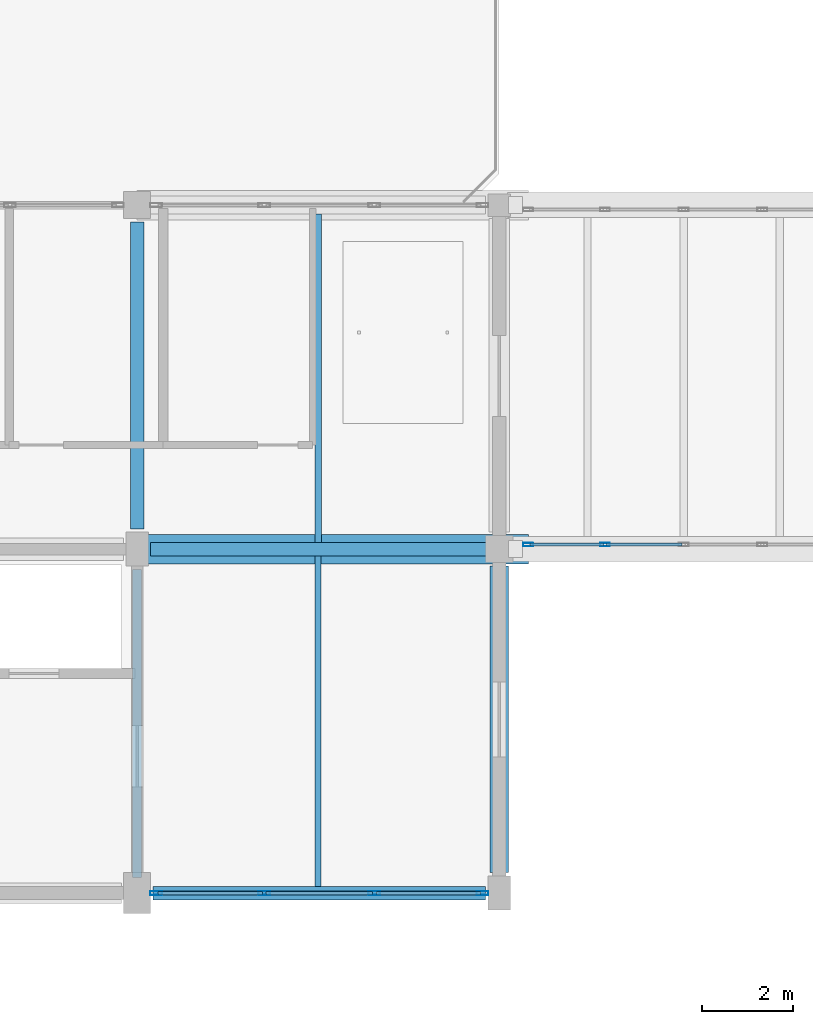
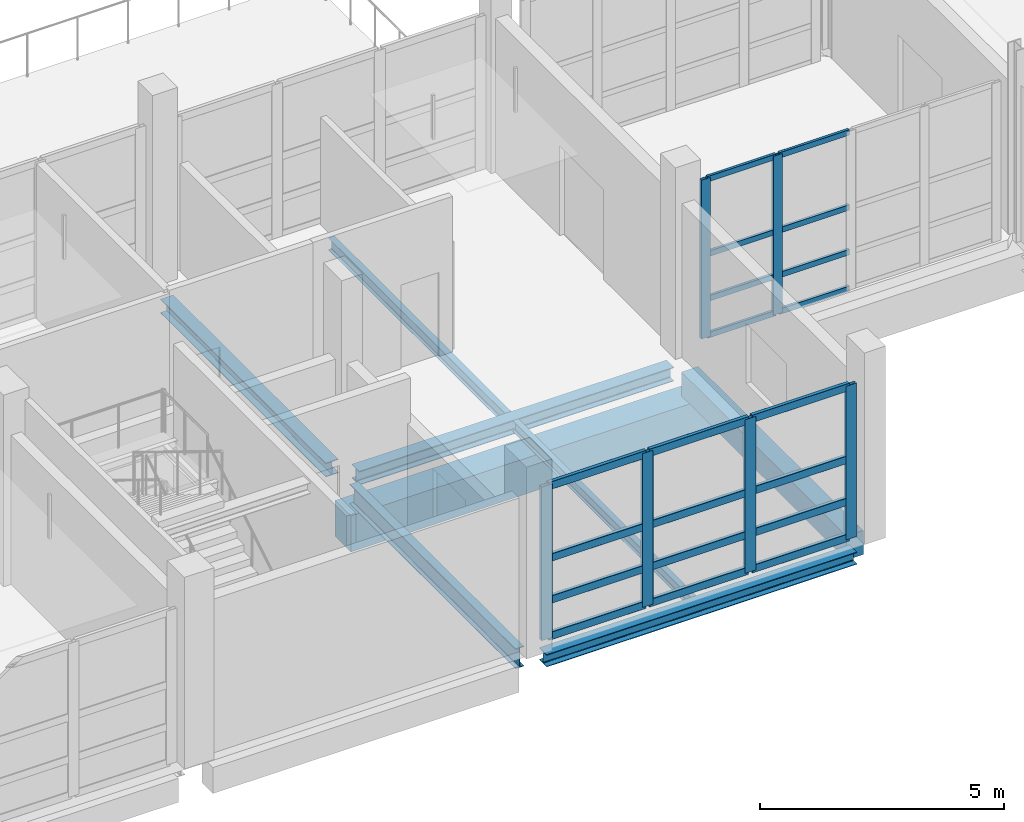
# One storey, part 38 of 147: 26 members, 8 beams, 2 elements without a shape of their own.
"""IFC4 building model written with IfcOpenShell, lengths in metres."""

from ifc_helpers import new_model, si_unit, direction, frame, origin, origin_2d, place, context, subcontext, project, spatial, rectangle, hollow_rectangle, i_section, extrude, material, material_profile, profile_set, type_object, element, aggregate, save


model = new_model("IFC4")

# Units and contexts
model_context = context("Model", 3, precision=1e-05, world=origin(), true_north=direction((0.0, 1.0)))
body_context = subcontext(model_context, "Body", "Model", "MODEL_VIEW")
ifc_project = project(units=[si_unit("LENGTHUNIT", "METRE"), si_unit("AREAUNIT", "SQUARE_METRE"), si_unit("VOLUMEUNIT", "CUBIC_METRE"), si_unit("PLANEANGLEUNIT", "RADIAN"), si_unit("MASSUNIT", "GRAM", prefix="KILO")], contexts=[model_context])

# Site, building, storey
site_placement = place(None, origin())
site = spatial("IfcSite", under=ifc_project, at=site_placement, CompositionType="ELEMENT")
building_placement = place(site_placement, origin())
building = spatial("IfcBuilding", under=site, at=building_placement, Name="Khelvaren Railside Concert Hall", CompositionType="ELEMENT")
storey_placement = place(building_placement, frame((0.0, 0.0, 5.39990234375)))
storey = spatial("IfcBuildingStorey", under=building, at=storey_placement, Name="L01", CompositionType="ELEMENT", Elevation=5.39990234375)

# Beams
ifc_material_1 = material(Name="Concrete C40/50", Category="concrete")
ifc_material_profile_1 = material_profile(ifc_material_1, rectangle(XDim=0.64990234375, YDim=0.89990234375, at=origin_2d()), Name="RCB 650x900")
ifc_profile_set_1 = profile_set([ifc_material_profile_1], Name="Concrete C40/50")
beam_type_1 = type_object("IfcBeamType", Name="BM18", PredefinedType="BEAM", material=ifc_profile_set_1)
beam_1_placement = place(storey_placement, frame((128.0, 7.60009765625, -1.659912109375), z_axis=(1.0, 0.0, 0.0), x_axis=(0.0, 1.0, 0.0)))
element("IfcBeam", 1, at=beam_1_placement, inside=storey, type_object=beam_type_1, Name="East Rehearsal Link Bridge L01 Seismic Corbel Seat 1", PredefinedType="BEAM", context=body_context, shape_type="SweptSolid", body=[
    extrude(rectangle(XDim=0.64990234375, YDim=0.89990234375, at=origin_2d()), origin(), (0.0, 0.0, 1.0), 8.64990234375),
])
ifc_material_2 = material(Name="Steel S355", Category="steel")
ifc_material_profile_2 = material_profile(ifc_material_2, i_section(OverallWidth=0.199951171875, OverallDepth=0.5, WebThickness=0.01025390625, FlangeThickness=0.01611328125, FilletRadius=0.02099609375, at=origin_2d()), Name="IPE 500")
ifc_profile_set_2 = profile_set([ifc_material_profile_2], Name="Steel S355")
beam_type_2 = type_object("IfcBeamType", Name="BM62", PredefinedType="BEAM", material=ifc_profile_set_2)
beam_2_placement = place(storey_placement, frame((128.0, 0.35009765625, -0.5498046875), z_axis=(0.0, 1.0, 0.0), x_axis=(-1.0, 0.0, 0.0)))
element("IfcBeam", 2, at=beam_2_placement, inside=storey, type_object=beam_type_2, Name="V3 L01 Beam Y9.1", PredefinedType="BEAM", context=body_context, shape_type="SweptSolid", body=[
    extrude(i_section(OverallWidth=0.199951171875, OverallDepth=0.5, WebThickness=0.01025390625, FlangeThickness=0.01611328125, FilletRadius=0.02099609375, at=origin_2d()), origin(), (0.0, 0.0, 1.0), 6.7998046875),
])
ifc_material_profile_3 = material_profile(ifc_material_2, i_section(OverallWidth=0.300048828125, OverallDepth=0.35009765625, WebThickness=0.010009765625, FlangeThickness=0.017578125, FilletRadius=0.027099609375, at=origin_2d()), Name="HEA 360")
ifc_profile_set_3 = profile_set([ifc_material_profile_3], Name="Steel S355")
beam_type_3 = type_object("IfcBeamType", Name="BM73", PredefinedType="BEAM", material=ifc_profile_set_3)
beam_3_placement = place(storey_placement, frame((128.300048828125, 7.60009765625, -0.474853515625), z_axis=(1.0, 0.0, 0.0), x_axis=(0.0, 1.0, 0.0)))
element("IfcBeam", 3, at=beam_3_placement, inside=storey, type_object=beam_type_3, Name="V3 L01 Beam X2.9", PredefinedType="BEAM", context=body_context, shape_type="SweptSolid", body=[
    extrude(i_section(OverallWidth=0.300048828125, OverallDepth=0.35009765625, WebThickness=0.010009765625, FlangeThickness=0.017578125, FilletRadius=0.027099609375, at=origin_2d()), origin(), (0.0, 0.0, 1.0), 7.449951171875),
])
beam_4_placement = place(storey_placement, frame((128.0, 8.050048828125, -0.474853515625), z_axis=(0.0, 1.0, 0.0), x_axis=(-1.0, 0.0, 0.0)))
element("IfcBeam", 4, at=beam_4_placement, inside=storey, type_object=beam_type_3, Name="V3 L01 Beam Y9.2", PredefinedType="BEAM", context=body_context, shape_type="SweptSolid", body=[
    extrude(i_section(OverallWidth=0.300048828125, OverallDepth=0.35009765625, WebThickness=0.010009765625, FlangeThickness=0.017578125, FilletRadius=0.027099609375, at=origin_2d()), origin(), (0.0, 0.0, 1.0), 6.77490234375),
])

# Curtain wall, members
ifc_material_3 = material(Name="Double-glazed clear foyer glass", Category="glass")
curtain_wall_type_1 = type_object("IfcCurtainWallType", Name="CW47", PredefinedType="USERDEFINED", material=ifc_material_3)
curtain_wall_1_placement = place(storey_placement, origin())
curtain_wall_1 = element("IfcCurtainWall", 5, at=curtain_wall_1_placement, inside=storey, type_object=curtain_wall_type_1, Name="Unitised Curtain Wall CW-LB2-L01-S", ObjectType="UNITISED CURTAIN WALL", PredefinedType="USERDEFINED")
ifc_material_4 = material(Name="Anodised architectural aluminium 6063-T6", Category="aluminium")
ifc_material_profile_4 = material_profile(ifc_material_4, hollow_rectangle(XDim=0.074951171875, YDim=0.219970703125, WallThickness=0.0048828125, InnerFilletRadius=0.0029296875, OuterFilletRadius=0.0048828125, at=origin_2d()), Name="CWM 75x220x5")
ifc_profile_set_4 = profile_set([ifc_material_profile_4], Name="Anodised architectural aluminium 6063-T6")
member_type_1 = type_object("IfcMemberType", Name="CWM13", PredefinedType="MULLION", material=ifc_profile_set_4)
member_1_placement = place(storey_placement, frame((138.33740234375, 7.699951171875, 0.0), z_axis=(0.0, 0.0, 1.0), x_axis=(0.0, -1.0, 0.0)))
member_1 = element("IfcMember", 6, at=member_1_placement, type_object=member_type_1, Name="CW47 mullion 4", PredefinedType="MULLION", context=body_context, shape_type="SweptSolid", body=[
    extrude(hollow_rectangle(XDim=0.074951171875, YDim=0.219970703125, WallThickness=0.0048828125, InnerFilletRadius=0.0029296875, OuterFilletRadius=0.0048828125, at=origin_2d()), origin(), (0.0, 0.0, 1.0), 3.97998046875),
])
member_2_placement = place(storey_placement, frame((136.637451171875, 7.699951171875, 0.0), z_axis=(0.0, 0.0, 1.0), x_axis=(0.0, -1.0, 0.0)))
member_2 = element("IfcMember", 7, at=member_2_placement, type_object=member_type_1, Name="CW47 mullion 5", PredefinedType="MULLION", context=body_context, shape_type="SweptSolid", body=[
    extrude(hollow_rectangle(XDim=0.074951171875, YDim=0.219970703125, WallThickness=0.0048828125, InnerFilletRadius=0.0029296875, OuterFilletRadius=0.0048828125, at=origin_2d()), origin(), (0.0, 0.0, 1.0), 3.97998046875),
])

ifc_material_5 = material(Name="Acoustic laminated crystal facade glass", Category="glass")
curtain_wall_type_2 = type_object("IfcCurtainWallType", Name="CW21", PredefinedType="USERDEFINED", material=ifc_material_5)
curtain_wall_2_placement = place(storey_placement, origin())
curtain_wall_2 = element("IfcCurtainWall", 8, at=curtain_wall_2_placement, inside=storey, type_object=curtain_wall_type_2, Name="Unitised Curtain Wall CW-V3-L01-S-128", ObjectType="UNITISED CURTAIN WALL", PredefinedType="USERDEFINED")
ifc_material_profile_5 = material_profile(ifc_material_4, hollow_rectangle(XDim=0.0849609375, YDim=0.260009765625, WallThickness=0.0048828125, InnerFilletRadius=0.0029296875, OuterFilletRadius=0.0048828125, at=origin_2d()), Name="CWM 85x260x5")
ifc_profile_set_5 = profile_set([ifc_material_profile_5], Name="Anodised architectural aluminium 6063-T6")
member_type_2 = type_object("IfcMemberType", Name="CWM40", PredefinedType="MULLION", material=ifc_profile_set_5)
member_3_placement = place(storey_placement, frame((135.6298828125, 0.0, 0.0), z_axis=(0.0, 0.0, 1.0), x_axis=(0.0, -1.0, 0.0)))
member_3 = element("IfcMember", 9, at=member_3_placement, type_object=member_type_2, Name="CW21 mullion 1", PredefinedType="MULLION", context=body_context, shape_type="SweptSolid", body=[
    extrude(hollow_rectangle(XDim=0.0849609375, YDim=0.260009765625, WallThickness=0.0048828125, InnerFilletRadius=0.0029296875, OuterFilletRadius=0.0048828125, at=origin_2d()), origin(), (0.0, 0.0, 1.0), 3.85009765625),
])
member_4_placement = place(storey_placement, frame((133.24072265625, 0.0, 0.0), z_axis=(0.0, 0.0, 1.0), x_axis=(0.0, -1.0, 0.0)))
member_4 = element("IfcMember", 10, at=member_4_placement, type_object=member_type_2, Name="CW21 mullion 2", PredefinedType="MULLION", context=body_context, shape_type="SweptSolid", body=[
    extrude(hollow_rectangle(XDim=0.0849609375, YDim=0.260009765625, WallThickness=0.0048828125, InnerFilletRadius=0.0029296875, OuterFilletRadius=0.0048828125, at=origin_2d()), origin(), (0.0, 0.0, 1.0), 3.85009765625),
])
member_5_placement = place(storey_placement, frame((130.80908203125, 0.0, 0.0), z_axis=(0.0, 0.0, 1.0), x_axis=(0.0, -1.0, 0.0)))
member_5 = element("IfcMember", 11, at=member_5_placement, type_object=member_type_2, Name="CW21 mullion 3", PredefinedType="MULLION", context=body_context, shape_type="SweptSolid", body=[
    extrude(hollow_rectangle(XDim=0.0849609375, YDim=0.260009765625, WallThickness=0.0048828125, InnerFilletRadius=0.0029296875, OuterFilletRadius=0.0048828125, at=origin_2d()), origin(), (0.0, 0.0, 1.0), 3.85009765625),
])
member_6_placement = place(storey_placement, frame((128.419921875, 0.0, 0.0), z_axis=(0.0, 0.0, 1.0), x_axis=(0.0, -1.0, 0.0)))
member_6 = element("IfcMember", 12, at=member_6_placement, type_object=member_type_2, Name="CW21 mullion 4", PredefinedType="MULLION", context=body_context, shape_type="SweptSolid", body=[
    extrude(hollow_rectangle(XDim=0.0849609375, YDim=0.260009765625, WallThickness=0.0048828125, InnerFilletRadius=0.0029296875, OuterFilletRadius=0.0048828125, at=origin_2d()), origin(), (0.0, 0.0, 1.0), 3.85009765625),
])
ifc_material_profile_6 = material_profile(ifc_material_4, hollow_rectangle(XDim=0.0849609375, YDim=0.18994140625, WallThickness=0.0048828125, InnerFilletRadius=0.0029296875, OuterFilletRadius=0.0048828125, at=origin_2d()), Name="CWT 85x190x5")
ifc_profile_set_6 = profile_set([ifc_material_profile_6], Name="Anodised architectural aluminium 6063-T6")
member_type_3 = type_object("IfcMemberType", Name="CWT31", PredefinedType="USERDEFINED", material=ifc_profile_set_6)
member_7_placement = place(storey_placement, frame((135.58740234375, 0.0, 0.04248046875), z_axis=(-1.0, 0.0, 0.0), x_axis=(0.0, -1.0, 0.0)))
member_7 = element("IfcMember", 13, at=member_7_placement, type_object=member_type_3, Name="CW21 transom 1.1", ObjectType="TRANSOM", PredefinedType="USERDEFINED", context=body_context, shape_type="SweptSolid", body=[
    extrude(hollow_rectangle(XDim=0.0849609375, YDim=0.18994140625, WallThickness=0.0048828125, InnerFilletRadius=0.0029296875, OuterFilletRadius=0.0048828125, at=origin_2d()), origin(), (0.0, 0.0, 1.0), 2.303955078125),
])
member_8_placement = place(storey_placement, frame((135.58740234375, 0.0, 0.9501953125), z_axis=(-1.0, 0.0, 0.0), x_axis=(0.0, -1.0, 0.0)))
member_8 = element("IfcMember", 14, at=member_8_placement, type_object=member_type_3, Name="CW21 transom 1.2", ObjectType="TRANSOM", PredefinedType="USERDEFINED", context=body_context, shape_type="SweptSolid", body=[
    extrude(hollow_rectangle(XDim=0.0849609375, YDim=0.18994140625, WallThickness=0.0048828125, InnerFilletRadius=0.0029296875, OuterFilletRadius=0.0048828125, at=origin_2d()), origin(), (0.0, 0.0, 1.0), 2.303955078125),
])
member_9_placement = place(storey_placement, frame((135.58740234375, 0.0, 2.002197265625), z_axis=(-1.0, 0.0, 0.0), x_axis=(0.0, -1.0, 0.0)))
member_9 = element("IfcMember", 15, at=member_9_placement, type_object=member_type_3, Name="CW21 transom 1.3", ObjectType="TRANSOM", PredefinedType="USERDEFINED", context=body_context, shape_type="SweptSolid", body=[
    extrude(hollow_rectangle(XDim=0.0849609375, YDim=0.18994140625, WallThickness=0.0048828125, InnerFilletRadius=0.0029296875, OuterFilletRadius=0.0048828125, at=origin_2d()), origin(), (0.0, 0.0, 1.0), 2.303955078125),
])
member_10_placement = place(storey_placement, frame((135.58740234375, 0.0, 3.8076171875), z_axis=(-1.0, 0.0, 0.0), x_axis=(0.0, -1.0, 0.0)))
member_10 = element("IfcMember", 16, at=member_10_placement, type_object=member_type_3, Name="CW21 transom 1.4", ObjectType="TRANSOM", PredefinedType="USERDEFINED", context=body_context, shape_type="SweptSolid", body=[
    extrude(hollow_rectangle(XDim=0.0849609375, YDim=0.18994140625, WallThickness=0.0048828125, InnerFilletRadius=0.0029296875, OuterFilletRadius=0.0048828125, at=origin_2d()), origin(), (0.0, 0.0, 1.0), 2.303955078125),
])
member_11_placement = place(storey_placement, frame((133.1982421875, 0.0, 0.04248046875), z_axis=(-1.0, 0.0, 0.0), x_axis=(0.0, -1.0, 0.0)))
member_11 = element("IfcMember", 17, at=member_11_placement, type_object=member_type_3, Name="CW21 transom 2.1", ObjectType="TRANSOM", PredefinedType="USERDEFINED", context=body_context, shape_type="SweptSolid", body=[
    extrude(hollow_rectangle(XDim=0.0849609375, YDim=0.18994140625, WallThickness=0.0048828125, InnerFilletRadius=0.0029296875, OuterFilletRadius=0.0048828125, at=origin_2d()), origin(), (0.0, 0.0, 1.0), 2.3466796875),
])
member_12_placement = place(storey_placement, frame((133.1982421875, 0.0, 0.9501953125), z_axis=(-1.0, 0.0, 0.0), x_axis=(0.0, -1.0, 0.0)))
member_12 = element("IfcMember", 18, at=member_12_placement, type_object=member_type_3, Name="CW21 transom 2.2", ObjectType="TRANSOM", PredefinedType="USERDEFINED", context=body_context, shape_type="SweptSolid", body=[
    extrude(hollow_rectangle(XDim=0.0849609375, YDim=0.18994140625, WallThickness=0.0048828125, InnerFilletRadius=0.0029296875, OuterFilletRadius=0.0048828125, at=origin_2d()), origin(), (0.0, 0.0, 1.0), 2.3466796875),
])
member_13_placement = place(storey_placement, frame((133.1982421875, 0.0, 2.002197265625), z_axis=(-1.0, 0.0, 0.0), x_axis=(0.0, -1.0, 0.0)))
member_13 = element("IfcMember", 19, at=member_13_placement, type_object=member_type_3, Name="CW21 transom 2.3", ObjectType="TRANSOM", PredefinedType="USERDEFINED", context=body_context, shape_type="SweptSolid", body=[
    extrude(hollow_rectangle(XDim=0.0849609375, YDim=0.18994140625, WallThickness=0.0048828125, InnerFilletRadius=0.0029296875, OuterFilletRadius=0.0048828125, at=origin_2d()), origin(), (0.0, 0.0, 1.0), 2.3466796875),
])
member_14_placement = place(storey_placement, frame((133.1982421875, 0.0, 3.8076171875), z_axis=(-1.0, 0.0, 0.0), x_axis=(0.0, -1.0, 0.0)))
member_14 = element("IfcMember", 20, at=member_14_placement, type_object=member_type_3, Name="CW21 transom 2.4", ObjectType="TRANSOM", PredefinedType="USERDEFINED", context=body_context, shape_type="SweptSolid", body=[
    extrude(hollow_rectangle(XDim=0.0849609375, YDim=0.18994140625, WallThickness=0.0048828125, InnerFilletRadius=0.0029296875, OuterFilletRadius=0.0048828125, at=origin_2d()), origin(), (0.0, 0.0, 1.0), 2.3466796875),
])
member_15_placement = place(storey_placement, frame((130.7666015625, 0.0, 0.04248046875), z_axis=(-1.0, 0.0, 0.0), x_axis=(0.0, -1.0, 0.0)))
member_15 = element("IfcMember", 21, at=member_15_placement, type_object=member_type_3, Name="CW21 transom 3.1", ObjectType="TRANSOM", PredefinedType="USERDEFINED", context=body_context, shape_type="SweptSolid", body=[
    extrude(hollow_rectangle(XDim=0.0849609375, YDim=0.18994140625, WallThickness=0.0048828125, InnerFilletRadius=0.0029296875, OuterFilletRadius=0.0048828125, at=origin_2d()), origin(), (0.0, 0.0, 1.0), 2.30419921875),
])
member_16_placement = place(storey_placement, frame((130.7666015625, 0.0, 0.9501953125), z_axis=(-1.0, 0.0, 0.0), x_axis=(0.0, -1.0, 0.0)))
member_16 = element("IfcMember", 22, at=member_16_placement, type_object=member_type_3, Name="CW21 transom 3.2", ObjectType="TRANSOM", PredefinedType="USERDEFINED", context=body_context, shape_type="SweptSolid", body=[
    extrude(hollow_rectangle(XDim=0.0849609375, YDim=0.18994140625, WallThickness=0.0048828125, InnerFilletRadius=0.0029296875, OuterFilletRadius=0.0048828125, at=origin_2d()), origin(), (0.0, 0.0, 1.0), 2.30419921875),
])
member_17_placement = place(storey_placement, frame((130.7666015625, 0.0, 2.002197265625), z_axis=(-1.0, 0.0, 0.0), x_axis=(0.0, -1.0, 0.0)))
member_17 = element("IfcMember", 23, at=member_17_placement, type_object=member_type_3, Name="CW21 transom 3.3", ObjectType="TRANSOM", PredefinedType="USERDEFINED", context=body_context, shape_type="SweptSolid", body=[
    extrude(hollow_rectangle(XDim=0.0849609375, YDim=0.18994140625, WallThickness=0.0048828125, InnerFilletRadius=0.0029296875, OuterFilletRadius=0.0048828125, at=origin_2d()), origin(), (0.0, 0.0, 1.0), 2.30419921875),
])
member_18_placement = place(storey_placement, frame((130.7666015625, 0.0, 3.8076171875), z_axis=(-1.0, 0.0, 0.0), x_axis=(0.0, -1.0, 0.0)))
member_18 = element("IfcMember", 24, at=member_18_placement, type_object=member_type_3, Name="CW21 transom 3.4", ObjectType="TRANSOM", PredefinedType="USERDEFINED", context=body_context, shape_type="SweptSolid", body=[
    extrude(hollow_rectangle(XDim=0.0849609375, YDim=0.18994140625, WallThickness=0.0048828125, InnerFilletRadius=0.0029296875, OuterFilletRadius=0.0048828125, at=origin_2d()), origin(), (0.0, 0.0, 1.0), 2.30419921875),
])
aggregate(curtain_wall_2, [member_3, member_4, member_5, member_6, member_7, member_8, member_9, member_10, member_11, member_12, member_13, member_14, member_15, member_16, member_17, member_18])

# Member
ifc_material_profile_7 = material_profile(ifc_material_4, hollow_rectangle(XDim=0.06494140625, YDim=0.139892578125, WallThickness=0.00390625, InnerFilletRadius=0.001953125, OuterFilletRadius=0.00390625, at=origin_2d()), Name="CWT 65x140x4")
ifc_profile_set_7 = profile_set([ifc_material_profile_7], Name="Anodised architectural aluminium 6063-T6")
member_type_4 = type_object("IfcMemberType", Name="CWT72", PredefinedType="USERDEFINED", material=ifc_profile_set_7)
member_19_placement = place(storey_placement, frame((140.03759765625, 7.699951171875, 0.03271484375), z_axis=(-1.0, 0.0, 0.0), x_axis=(0.0, -1.0, 0.0)))
member_19 = element("IfcMember", 25, at=member_19_placement, type_object=member_type_4, Name="CW47 transom 3.1", ObjectType="TRANSOM", PredefinedType="USERDEFINED", context=body_context, shape_type="SweptSolid", body=[
    extrude(hollow_rectangle(XDim=0.06494140625, YDim=0.139892578125, WallThickness=0.00390625, InnerFilletRadius=0.001953125, OuterFilletRadius=0.00390625, at=origin_2d()), origin(), (0.0, 0.0, 1.0), 1.66259765625),
])

member_20_placement = place(storey_placement, frame((140.03759765625, 7.699951171875, 0.9501953125), z_axis=(-1.0, 0.0, 0.0), x_axis=(0.0, -1.0, 0.0)))
member_20 = element("IfcMember", 26, at=member_20_placement, type_object=member_type_4, Name="CW47 transom 3.2", ObjectType="TRANSOM", PredefinedType="USERDEFINED", context=body_context, shape_type="SweptSolid", body=[
    extrude(hollow_rectangle(XDim=0.06494140625, YDim=0.139892578125, WallThickness=0.00390625, InnerFilletRadius=0.001953125, OuterFilletRadius=0.00390625, at=origin_2d()), origin(), (0.0, 0.0, 1.0), 1.66259765625),
])

member_21_placement = place(storey_placement, frame((140.03759765625, 7.699951171875, 2.069580078125), z_axis=(-1.0, 0.0, 0.0), x_axis=(0.0, -1.0, 0.0)))
member_21 = element("IfcMember", 27, at=member_21_placement, type_object=member_type_4, Name="CW47 transom 3.3", ObjectType="TRANSOM", PredefinedType="USERDEFINED", context=body_context, shape_type="SweptSolid", body=[
    extrude(hollow_rectangle(XDim=0.06494140625, YDim=0.139892578125, WallThickness=0.00390625, InnerFilletRadius=0.001953125, OuterFilletRadius=0.00390625, at=origin_2d()), origin(), (0.0, 0.0, 1.0), 1.66259765625),
])

member_22_placement = place(storey_placement, frame((140.03759765625, 7.699951171875, 3.947509765625), z_axis=(-1.0, 0.0, 0.0), x_axis=(0.0, -1.0, 0.0)))
member_22 = element("IfcMember", 28, at=member_22_placement, type_object=member_type_4, Name="CW47 transom 3.4", ObjectType="TRANSOM", PredefinedType="USERDEFINED", context=body_context, shape_type="SweptSolid", body=[
    extrude(hollow_rectangle(XDim=0.06494140625, YDim=0.139892578125, WallThickness=0.00390625, InnerFilletRadius=0.001953125, OuterFilletRadius=0.00390625, at=origin_2d()), origin(), (0.0, 0.0, 1.0), 1.66259765625),
])

member_23_placement = place(storey_placement, frame((138.300048828125, 7.699951171875, 0.03271484375), z_axis=(-1.0, 0.0, 0.0), x_axis=(0.0, -1.0, 0.0)))
member_23 = element("IfcMember", 29, at=member_23_placement, type_object=member_type_4, Name="CW47 transom 4.1", ObjectType="TRANSOM", PredefinedType="USERDEFINED", context=body_context, shape_type="SweptSolid", body=[
    extrude(hollow_rectangle(XDim=0.06494140625, YDim=0.139892578125, WallThickness=0.00390625, InnerFilletRadius=0.001953125, OuterFilletRadius=0.00390625, at=origin_2d()), origin(), (0.0, 0.0, 1.0), 1.625),
])

member_24_placement = place(storey_placement, frame((138.300048828125, 7.699951171875, 0.9501953125), z_axis=(-1.0, 0.0, 0.0), x_axis=(0.0, -1.0, 0.0)))
member_24 = element("IfcMember", 30, at=member_24_placement, type_object=member_type_4, Name="CW47 transom 4.2", ObjectType="TRANSOM", PredefinedType="USERDEFINED", context=body_context, shape_type="SweptSolid", body=[
    extrude(hollow_rectangle(XDim=0.06494140625, YDim=0.139892578125, WallThickness=0.00390625, InnerFilletRadius=0.001953125, OuterFilletRadius=0.00390625, at=origin_2d()), origin(), (0.0, 0.0, 1.0), 1.625),
])

member_25_placement = place(storey_placement, frame((138.300048828125, 7.699951171875, 2.069580078125), z_axis=(-1.0, 0.0, 0.0), x_axis=(0.0, -1.0, 0.0)))
member_25 = element("IfcMember", 31, at=member_25_placement, type_object=member_type_4, Name="CW47 transom 4.3", ObjectType="TRANSOM", PredefinedType="USERDEFINED", context=body_context, shape_type="SweptSolid", body=[
    extrude(hollow_rectangle(XDim=0.06494140625, YDim=0.139892578125, WallThickness=0.00390625, InnerFilletRadius=0.001953125, OuterFilletRadius=0.00390625, at=origin_2d()), origin(), (0.0, 0.0, 1.0), 1.625),
])

member_26_placement = place(storey_placement, frame((138.300048828125, 7.699951171875, 3.947509765625), z_axis=(-1.0, 0.0, 0.0), x_axis=(0.0, -1.0, 0.0)))
member_26 = element("IfcMember", 32, at=member_26_placement, type_object=member_type_4, Name="CW47 transom 4.4", ObjectType="TRANSOM", PredefinedType="USERDEFINED", context=body_context, shape_type="SweptSolid", body=[
    extrude(hollow_rectangle(XDim=0.06494140625, YDim=0.139892578125, WallThickness=0.00390625, InnerFilletRadius=0.001953125, OuterFilletRadius=0.00390625, at=origin_2d()), origin(), (0.0, 0.0, 1.0), 1.625),
])

aggregate(curtain_wall_1, [member_1, member_2, member_19, member_20, member_21, member_22, member_23, member_24, member_25, member_26])

# Beams
ifc_material_profile_8 = material_profile(ifc_material_2, i_section(OverallWidth=0.14990234375, OverallDepth=0.300048828125, WebThickness=0.007080078125, FlangeThickness=0.0107421875, FilletRadius=0.014892578125, at=origin_2d()), Name="IPE 300")
ifc_profile_set_8 = profile_set([ifc_material_profile_8], Name="Steel S355")
beam_type_4 = type_object("IfcBeamType", Name="JS26", PredefinedType="JOIST", material=ifc_profile_set_8)
beam_5_placement = place(storey_placement, frame((132.0, 7.75, -0.449951171875), z_axis=(0.0, 1.0, 0.0), x_axis=(-1.0, 0.0, 0.0)))
element("IfcBeam", 33, at=beam_5_placement, inside=storey, type_object=beam_type_4, Name="V3 L01 Secondary Joist 9.2", PredefinedType="JOIST", context=body_context, shape_type="SweptSolid", body=[
    extrude(i_section(OverallWidth=0.14990234375, OverallDepth=0.300048828125, WebThickness=0.007080078125, FlangeThickness=0.0107421875, FilletRadius=0.014892578125, at=origin_2d()), origin(), (0.0, 0.0, 1.0), 7.25),
])
ifc_material_profile_9 = material_profile(ifc_material_2, i_section(OverallWidth=0.135009765625, OverallDepth=0.27001953125, WebThickness=0.006591796875, FlangeThickness=0.01025390625, FilletRadius=0.014892578125, at=origin_2d()), Name="IPE 270")
ifc_profile_set_9 = profile_set([ifc_material_profile_9], Name="Steel S355")
beam_type_5 = type_object("IfcBeamType", Name="JS78", PredefinedType="JOIST", material=ifc_profile_set_9)
beam_6_placement = place(storey_placement, frame((132.0, 0.14990234375, -0.434814453125), z_axis=(0.0, 1.0, 0.0), x_axis=(-1.0, 0.0, 0.0)))
element("IfcBeam", 34, at=beam_6_placement, inside=storey, type_object=beam_type_5, Name="V3 L01 Secondary Joist 9.1", PredefinedType="JOIST", context=body_context, shape_type="SweptSolid", body=[
    extrude(i_section(OverallWidth=0.135009765625, OverallDepth=0.27001953125, WebThickness=0.006591796875, FlangeThickness=0.01025390625, FilletRadius=0.014892578125, at=origin_2d()), origin(), (0.0, 0.0, 1.0), 7.300048828125),
])
ifc_material_profile_10 = material_profile(ifc_material_2, i_section(OverallWidth=0.300048828125, OverallDepth=0.31005859375, WebThickness=0.009033203125, FlangeThickness=0.015380859375, FilletRadius=0.027099609375, at=origin_2d()), Name="HEA 320")
ifc_profile_set_10 = profile_set([ifc_material_profile_10], Name="Steel S355")
beam_type_6 = type_object("IfcBeamType", Name="SP66", PredefinedType="SPANDREL", material=ifc_profile_set_10)
beam_7_placement = place(storey_placement, frame((128.35009765625, 0.0, -0.454833984375), z_axis=(1.0, 0.0, 0.0), x_axis=(0.0, 1.0, 0.0)))
element("IfcBeam", 35, at=beam_7_placement, inside=storey, type_object=beam_type_6, Name="V3 L01 Spandrel X1.9", PredefinedType="SPANDREL", context=body_context, shape_type="SweptSolid", body=[
    extrude(i_section(OverallWidth=0.300048828125, OverallDepth=0.31005859375, WebThickness=0.009033203125, FlangeThickness=0.015380859375, FilletRadius=0.027099609375, at=origin_2d()), origin(), (0.0, 0.0, 1.0), 7.349853515625),
])
ifc_material_profile_11 = material_profile(ifc_material_1, rectangle(XDim=0.39990234375, YDim=0.60009765625, at=origin_2d()), Name="RCB 400x600")
ifc_profile_set_11 = profile_set([ifc_material_profile_11], Name="Concrete C40/50")
beam_type_7 = type_object("IfcBeamType", Name="SP75", PredefinedType="SPANDREL", material=ifc_profile_set_11)
beam_8_placement = place(storey_placement, frame((136.0, 0.449951171875, -0.599853515625), z_axis=(0.0, 1.0, 0.0), x_axis=(-1.0, 0.0, 0.0)))
element("IfcBeam", 36, at=beam_8_placement, inside=storey, type_object=beam_type_7, Name="V3 L01 Spandrel Y10.1", PredefinedType="SPANDREL", context=body_context, shape_type="SweptSolid", body=[
    extrude(rectangle(XDim=0.39990234375, YDim=0.60009765625, at=origin_2d()), origin(), (0.0, 0.0, 1.0), 6.775146484375),
])

save(model, "model.ifc")
